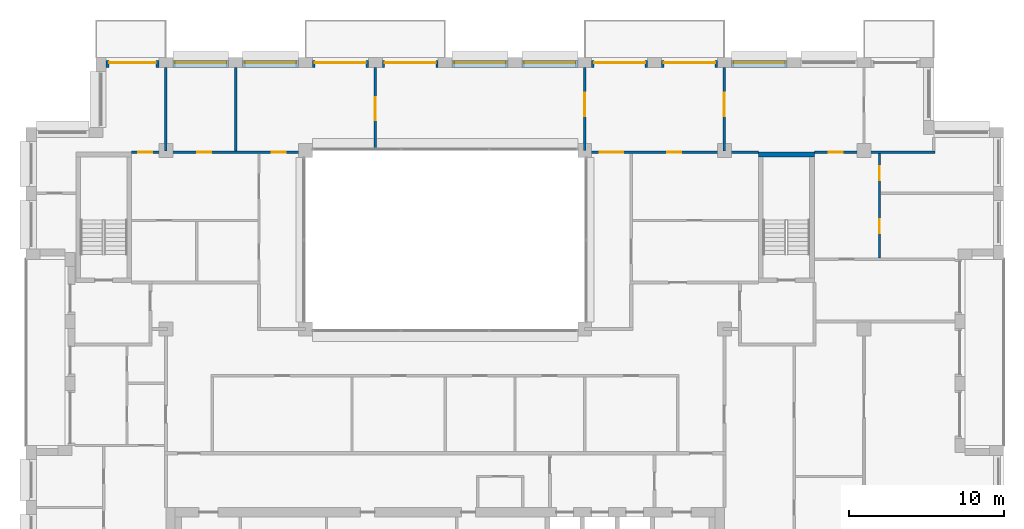
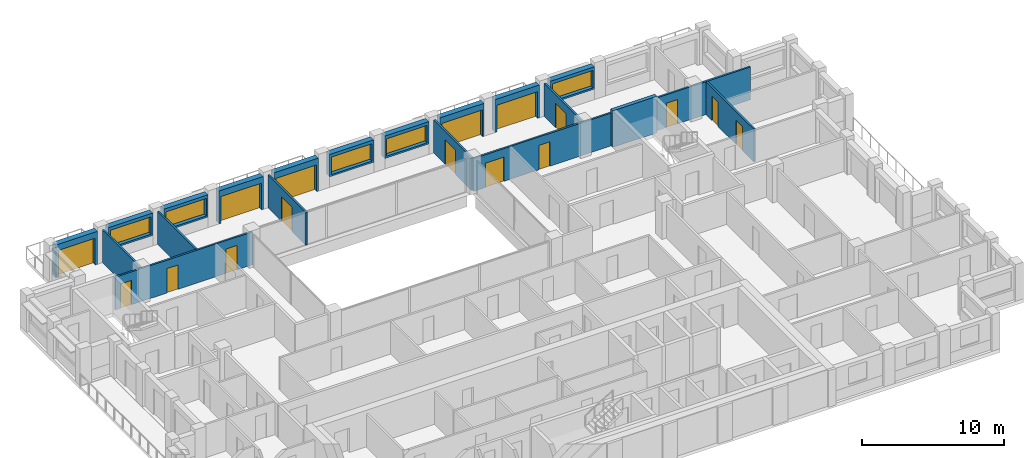
# One storey, part 13 of 15: 20 walls, 16 doors, 5 windows, 21 openings.
"""IFC4 building model written with IfcOpenShell, lengths in metres."""

from ifc_helpers import new_model, si_unit, direction, frame, frame_2d, origin, place, context, subcontext, project, spatial, rectangle, extrude, material, layer, layer_set, type_object, element, fill, save


model = new_model("IFC4")

# Units and contexts
model_context = context("Model", 3, precision=1e-05, world=origin(), true_north=direction((0.0, 1.0)))
body_context = subcontext(model_context, "Body", "Model", "MODEL_VIEW")
ifc_project = project(units=[si_unit("LENGTHUNIT", "METRE"), si_unit("AREAUNIT", "SQUARE_METRE"), si_unit("VOLUMEUNIT", "CUBIC_METRE"), si_unit("PLANEANGLEUNIT", "RADIAN"), si_unit("MASSUNIT", "GRAM", prefix="KILO")], contexts=[model_context])

# Site, building, storey
site_placement = place(None, origin())
site = spatial("IfcSite", under=ifc_project, at=site_placement, CompositionType="ELEMENT")
building_placement = place(site_placement, origin())
building = spatial("IfcBuilding", under=site, at=building_placement, Name="Brigalow Station Residences", CompositionType="ELEMENT")
storey_placement = place(building_placement, frame((0.0, 0.0, 223.199951171875)))
storey = spatial("IfcBuildingStorey", under=building, at=storey_placement, Name="L64", CompositionType="ELEMENT", Elevation=223.199951171875)

# Wall, opening, window
ifc_material_1 = material(Name="Clay brick masonry", Category="masonry")
ifc_layer_1 = layer(ifc_material_1, 0.449951171875)
ifc_layer_set_1 = layer_set([ifc_layer_1], Name="BRICK INFILL WALL 450")
wall_type_1 = type_object("IfcWallType", Name="BRICK INFILL WALL 450", PredefinedType="SOLIDWALL", material=ifc_layer_set_1)
wall_1_placement = place(storey_placement, frame((58.050048828125, 41.074951171875, 0.900146484375), z_axis=(0.0, 0.0, 1.0), x_axis=(-1.0, 0.0, 0.0)))
wall_1 = element("IfcWall", 1, at=wall_1_placement, inside=storey, type_object=wall_type_1, Name="L64/ewall/W-L64-22", PredefinedType="SOLIDWALL", context=body_context, shape_type="SweptSolid", body=[
    extrude(rectangle(XDim=3.60009765625, YDim=0.449951171875, at=frame_2d((1.800048828125, 0.0))), origin(), (0.0, 0.0, 1.0), 1.929931640625),
])
opening_1_placement = place(wall_1_placement, frame((0.14990234375, 0.0, 0.14990234375)))
opening_1 = element("IfcOpeningElement", 2, at=opening_1_placement, cuts=wall_1, Name="Opening WT-10", PredefinedType="OPENING", context=body_context, shape_type="SweptSolid", body=[
    extrude(rectangle(XDim=3.300048828125, YDim=1.5, at=frame_2d((1.64990234375, 0.75))), frame((0.0, 0.23486328125, 0.0), z_axis=(0.0, -1.0, 0.0), x_axis=(1.0, 0.0, 0.0)), (0.0, 0.0, 1.0), 0.469970703125),
])
ifc_material_2 = material(Name="Anodised aluminium frame with double glazing", Category="aluminium")
window_type = type_object("IfcWindowType", Name="WINDOW 3300x1500", PartitioningType="SINGLE_PANEL", PredefinedType="WINDOW", material=ifc_material_2)
window_1_placement = place(opening_1_placement, origin())
window_1 = element("IfcWindow", 3, at=window_1_placement, inside=storey, type_object=window_type, Name="L64/window/W-L64-22", OverallHeight=1.5, OverallWidth=3.300048828125, PartitioningType="SINGLE_PANEL", PredefinedType="WINDOW", context=body_context, shape_type="SweptSolid", body=[
    extrude(rectangle(XDim=3.300048828125, YDim=1.5, at=frame_2d((1.64990234375, 0.75))), frame((0.0, -0.06494140625, 0.0), z_axis=(0.0, -1.0, 0.0), x_axis=(1.0, 0.0, 0.0)), (0.0, 0.0, 1.0), 0.06005859375),
])
fill(opening_1, window_1)

# Wall, opening, door
wall_2_placement = place(storey_placement, frame((53.550048828125, 41.074951171875, 0.0), z_axis=(0.0, 0.0, 1.0), x_axis=(-1.0, 0.0, 0.0)))
wall_2 = element("IfcWall", 4, at=wall_2_placement, inside=storey, type_object=wall_type_1, Name="L64/ewall/W-L64-23", PredefinedType="SOLIDWALL", context=body_context, shape_type="SweptSolid", body=[
    extrude(rectangle(XDim=3.60009765625, YDim=0.449951171875, at=frame_2d((1.800048828125, 0.0))), origin(), (0.0, 0.0, 1.0), 2.830078125),
])
opening_2_placement = place(wall_2_placement, frame((0.14990234375, 0.0, 0.0)))
opening_2 = element("IfcOpeningElement", 5, at=opening_2_placement, cuts=wall_2, Name="Opening D-B3300", PredefinedType="OPENING", context=body_context, shape_type="SweptSolid", body=[
    extrude(rectangle(XDim=3.300048828125, YDim=2.300048828125, at=frame_2d((1.64990234375, 1.14990234375))), frame((0.0, 0.23486328125, 0.0), z_axis=(0.0, -1.0, 0.0), x_axis=(1.0, 0.0, 0.0)), (0.0, 0.0, 1.0), 0.469970703125),
])
ifc_material_3 = material(Name="Anodised aluminium frame with double glazing", Category="aluminium")
door_type_1 = type_object("IfcDoorType", Name="BALCONY SLIDING DOOR 3300x2300", OperationType="SLIDING_TO_LEFT", PredefinedType="DOOR", material=ifc_material_3)
door_1_placement = place(opening_2_placement, origin())
door_1 = element("IfcDoor", 6, at=door_1_placement, inside=storey, type_object=door_type_1, Name="L64/balcony-door/W-L64-23", OperationType="SLIDING_TO_LEFT", OverallHeight=2.300048828125, OverallWidth=3.300048828125, PredefinedType="DOOR", context=body_context, shape_type="SweptSolid", body=[
    extrude(rectangle(XDim=3.300048828125, YDim=2.300048828125, at=frame_2d((1.64990234375, 1.14990234375))), frame((0.0, -0.06982421875, 0.0), z_axis=(0.0, -1.0, 0.0), x_axis=(1.0, 0.0, 0.0)), (0.0, 0.0, 1.0), 0.050048828125),
])
fill(opening_2, door_1)

wall_3_placement = place(storey_placement, frame((49.050048828125, 41.074951171875, 0.0), z_axis=(0.0, 0.0, 1.0), x_axis=(-1.0, 0.0, 0.0)))
wall_3 = element("IfcWall", 7, at=wall_3_placement, inside=storey, type_object=wall_type_1, Name="L64/ewall/W-L64-24", PredefinedType="SOLIDWALL", context=body_context, shape_type="SweptSolid", body=[
    extrude(rectangle(XDim=3.60009765625, YDim=0.449951171875, at=frame_2d((1.800048828125, 0.0))), origin(), (0.0, 0.0, 1.0), 2.830078125),
])
opening_3_placement = place(wall_3_placement, frame((0.14990234375, 0.0, 0.0)))
opening_3 = element("IfcOpeningElement", 8, at=opening_3_placement, cuts=wall_3, Name="Opening D-B3300", PredefinedType="OPENING", context=body_context, shape_type="SweptSolid", body=[
    extrude(rectangle(XDim=3.300048828125, YDim=2.300048828125, at=frame_2d((1.64990234375, 1.14990234375))), frame((0.0, 0.23486328125, 0.0), z_axis=(0.0, -1.0, 0.0), x_axis=(1.0, 0.0, 0.0)), (0.0, 0.0, 1.0), 0.469970703125),
])
door_2_placement = place(opening_3_placement, origin())
door_2 = element("IfcDoor", 9, at=door_2_placement, inside=storey, type_object=door_type_1, Name="L64/balcony-door/W-L64-24", OperationType="SLIDING_TO_LEFT", OverallHeight=2.300048828125, OverallWidth=3.300048828125, PredefinedType="DOOR", context=body_context, shape_type="SweptSolid", body=[
    extrude(rectangle(XDim=3.300048828125, YDim=2.300048828125, at=frame_2d((1.64990234375, 1.14990234375))), frame((0.0, -0.06982421875, 0.0), z_axis=(0.0, -1.0, 0.0), x_axis=(1.0, 0.0, 0.0)), (0.0, 0.0, 1.0), 0.050048828125),
])
fill(opening_3, door_2)

# Wall, opening, window
wall_4_placement = place(storey_placement, frame((44.550048828125, 41.074951171875, 0.900146484375), z_axis=(0.0, 0.0, 1.0), x_axis=(-1.0, 0.0, 0.0)))
wall_4 = element("IfcWall", 10, at=wall_4_placement, inside=storey, type_object=wall_type_1, Name="L64/ewall/W-L64-25", PredefinedType="SOLIDWALL", context=body_context, shape_type="SweptSolid", body=[
    extrude(rectangle(XDim=3.60009765625, YDim=0.449951171875, at=frame_2d((1.800048828125, 0.0))), origin(), (0.0, 0.0, 1.0), 1.929931640625),
])
opening_4_placement = place(wall_4_placement, frame((0.14990234375, 0.0, 0.14990234375)))
opening_4 = element("IfcOpeningElement", 11, at=opening_4_placement, cuts=wall_4, Name="Opening WT-10", PredefinedType="OPENING", context=body_context, shape_type="SweptSolid", body=[
    extrude(rectangle(XDim=3.300048828125, YDim=1.5, at=frame_2d((1.64990234375, 0.75))), frame((0.0, 0.23486328125, 0.0), z_axis=(0.0, -1.0, 0.0), x_axis=(1.0, 0.0, 0.0)), (0.0, 0.0, 1.0), 0.469970703125),
])
window_2_placement = place(opening_4_placement, origin())
window_2 = element("IfcWindow", 12, at=window_2_placement, inside=storey, type_object=window_type, Name="L64/window/W-L64-25", OverallHeight=1.5, OverallWidth=3.300048828125, PartitioningType="SINGLE_PANEL", PredefinedType="WINDOW", context=body_context, shape_type="SweptSolid", body=[
    extrude(rectangle(XDim=3.300048828125, YDim=1.5, at=frame_2d((1.64990234375, 0.75))), frame((0.0, -0.06494140625, 0.0), z_axis=(0.0, -1.0, 0.0), x_axis=(1.0, 0.0, 0.0)), (0.0, 0.0, 1.0), 0.06005859375),
])
fill(opening_4, window_2)

wall_5_placement = place(storey_placement, frame((40.050048828125, 41.074951171875, 0.900146484375), z_axis=(0.0, 0.0, 1.0), x_axis=(-1.0, 0.0, 0.0)))
wall_5 = element("IfcWall", 13, at=wall_5_placement, inside=storey, type_object=wall_type_1, Name="L64/ewall/W-L64-26", PredefinedType="SOLIDWALL", context=body_context, shape_type="SweptSolid", body=[
    extrude(rectangle(XDim=3.60009765625, YDim=0.449951171875, at=frame_2d((1.800048828125, 0.0))), origin(), (0.0, 0.0, 1.0), 1.929931640625),
])
opening_5_placement = place(wall_5_placement, frame((0.14990234375, 0.0, 0.14990234375)))
opening_5 = element("IfcOpeningElement", 14, at=opening_5_placement, cuts=wall_5, Name="Opening WT-10", PredefinedType="OPENING", context=body_context, shape_type="SweptSolid", body=[
    extrude(rectangle(XDim=3.300048828125, YDim=1.5, at=frame_2d((1.64990234375, 0.75))), frame((0.0, 0.23486328125, 0.0), z_axis=(0.0, -1.0, 0.0), x_axis=(1.0, 0.0, 0.0)), (0.0, 0.0, 1.0), 0.469970703125),
])
window_3_placement = place(opening_5_placement, origin())
window_3 = element("IfcWindow", 15, at=window_3_placement, inside=storey, type_object=window_type, Name="L64/window/W-L64-26", OverallHeight=1.5, OverallWidth=3.300048828125, PartitioningType="SINGLE_PANEL", PredefinedType="WINDOW", context=body_context, shape_type="SweptSolid", body=[
    extrude(rectangle(XDim=3.300048828125, YDim=1.5, at=frame_2d((1.64990234375, 0.75))), frame((0.0, -0.06494140625, 0.0), z_axis=(0.0, -1.0, 0.0), x_axis=(1.0, 0.0, 0.0)), (0.0, 0.0, 1.0), 0.06005859375),
])
fill(opening_5, window_3)

# Wall, opening, door
wall_6_placement = place(storey_placement, frame((35.550048828125, 41.074951171875, 0.0), z_axis=(0.0, 0.0, 1.0), x_axis=(-1.0, 0.0, 0.0)))
wall_6 = element("IfcWall", 16, at=wall_6_placement, inside=storey, type_object=wall_type_1, Name="L64/ewall/W-L64-27", PredefinedType="SOLIDWALL", context=body_context, shape_type="SweptSolid", body=[
    extrude(rectangle(XDim=3.60009765625, YDim=0.449951171875, at=frame_2d((1.800048828125, 0.0))), origin(), (0.0, 0.0, 1.0), 2.830078125),
])
opening_6_placement = place(wall_6_placement, frame((0.14990234375, 0.0, 0.0)))
opening_6 = element("IfcOpeningElement", 17, at=opening_6_placement, cuts=wall_6, Name="Opening D-B3300", PredefinedType="OPENING", context=body_context, shape_type="SweptSolid", body=[
    extrude(rectangle(XDim=3.300048828125, YDim=2.300048828125, at=frame_2d((1.64990234375, 1.14990234375))), frame((0.0, 0.23486328125, 0.0), z_axis=(0.0, -1.0, 0.0), x_axis=(1.0, 0.0, 0.0)), (0.0, 0.0, 1.0), 0.469970703125),
])
door_3_placement = place(opening_6_placement, origin())
door_3 = element("IfcDoor", 18, at=door_3_placement, inside=storey, type_object=door_type_1, Name="L64/balcony-door/W-L64-27", OperationType="SLIDING_TO_LEFT", OverallHeight=2.300048828125, OverallWidth=3.300048828125, PredefinedType="DOOR", context=body_context, shape_type="SweptSolid", body=[
    extrude(rectangle(XDim=3.300048828125, YDim=2.300048828125, at=frame_2d((1.64990234375, 1.14990234375))), frame((0.0, -0.06982421875, 0.0), z_axis=(0.0, -1.0, 0.0), x_axis=(1.0, 0.0, 0.0)), (0.0, 0.0, 1.0), 0.050048828125),
])
fill(opening_6, door_3)

wall_7_placement = place(storey_placement, frame((31.050048828125, 41.074951171875, 0.0), z_axis=(0.0, 0.0, 1.0), x_axis=(-1.0, 0.0, 0.0)))
wall_7 = element("IfcWall", 19, at=wall_7_placement, inside=storey, type_object=wall_type_1, Name="L64/ewall/W-L64-28", PredefinedType="SOLIDWALL", context=body_context, shape_type="SweptSolid", body=[
    extrude(rectangle(XDim=3.60009765625, YDim=0.449951171875, at=frame_2d((1.800048828125, 0.0))), origin(), (0.0, 0.0, 1.0), 2.830078125),
])
opening_7_placement = place(wall_7_placement, frame((0.14990234375, 0.0, 0.0)))
opening_7 = element("IfcOpeningElement", 20, at=opening_7_placement, cuts=wall_7, Name="Opening D-B3300", PredefinedType="OPENING", context=body_context, shape_type="SweptSolid", body=[
    extrude(rectangle(XDim=3.300048828125, YDim=2.300048828125, at=frame_2d((1.64990234375, 1.14990234375))), frame((0.0, 0.23486328125, 0.0), z_axis=(0.0, -1.0, 0.0), x_axis=(1.0, 0.0, 0.0)), (0.0, 0.0, 1.0), 0.469970703125),
])
door_4_placement = place(opening_7_placement, origin())
door_4 = element("IfcDoor", 21, at=door_4_placement, inside=storey, type_object=door_type_1, Name="L64/balcony-door/W-L64-28", OperationType="SLIDING_TO_LEFT", OverallHeight=2.300048828125, OverallWidth=3.300048828125, PredefinedType="DOOR", context=body_context, shape_type="SweptSolid", body=[
    extrude(rectangle(XDim=3.300048828125, YDim=2.300048828125, at=frame_2d((1.64990234375, 1.14990234375))), frame((0.0, -0.06982421875, 0.0), z_axis=(0.0, -1.0, 0.0), x_axis=(1.0, 0.0, 0.0)), (0.0, 0.0, 1.0), 0.050048828125),
])
fill(opening_7, door_4)

# Wall, opening, window
wall_8_placement = place(storey_placement, frame((26.550048828125, 41.074951171875, 0.900146484375), z_axis=(0.0, 0.0, 1.0), x_axis=(-1.0, 0.0, 0.0)))
wall_8 = element("IfcWall", 22, at=wall_8_placement, inside=storey, type_object=wall_type_1, Name="L64/ewall/W-L64-29", PredefinedType="SOLIDWALL", context=body_context, shape_type="SweptSolid", body=[
    extrude(rectangle(XDim=3.60009765625, YDim=0.449951171875, at=frame_2d((1.800048828125, 0.0))), origin(), (0.0, 0.0, 1.0), 1.929931640625),
])
opening_8_placement = place(wall_8_placement, frame((0.14990234375, 0.0, 0.14990234375)))
opening_8 = element("IfcOpeningElement", 23, at=opening_8_placement, cuts=wall_8, Name="Opening WT-10", PredefinedType="OPENING", context=body_context, shape_type="SweptSolid", body=[
    extrude(rectangle(XDim=3.300048828125, YDim=1.5, at=frame_2d((1.64990234375, 0.75))), frame((0.0, 0.23486328125, 0.0), z_axis=(0.0, -1.0, 0.0), x_axis=(1.0, 0.0, 0.0)), (0.0, 0.0, 1.0), 0.469970703125),
])
window_4_placement = place(opening_8_placement, origin())
window_4 = element("IfcWindow", 24, at=window_4_placement, inside=storey, type_object=window_type, Name="L64/window/W-L64-29", OverallHeight=1.5, OverallWidth=3.300048828125, PartitioningType="SINGLE_PANEL", PredefinedType="WINDOW", context=body_context, shape_type="SweptSolid", body=[
    extrude(rectangle(XDim=3.300048828125, YDim=1.5, at=frame_2d((1.64990234375, 0.75))), frame((0.0, -0.06494140625, 0.0), z_axis=(0.0, -1.0, 0.0), x_axis=(1.0, 0.0, 0.0)), (0.0, 0.0, 1.0), 0.06005859375),
])
fill(opening_8, window_4)

wall_9_placement = place(storey_placement, frame((22.050048828125, 41.074951171875, 0.900146484375), z_axis=(0.0, 0.0, 1.0), x_axis=(-1.0, 0.0, 0.0)))
wall_9 = element("IfcWall", 25, at=wall_9_placement, inside=storey, type_object=wall_type_1, Name="L64/ewall/W-L64-30", PredefinedType="SOLIDWALL", context=body_context, shape_type="SweptSolid", body=[
    extrude(rectangle(XDim=3.60009765625, YDim=0.449951171875, at=frame_2d((1.800048828125, 0.0))), origin(), (0.0, 0.0, 1.0), 1.929931640625),
])
opening_9_placement = place(wall_9_placement, frame((0.14990234375, 0.0, 0.14990234375)))
opening_9 = element("IfcOpeningElement", 26, at=opening_9_placement, cuts=wall_9, Name="Opening WT-10", PredefinedType="OPENING", context=body_context, shape_type="SweptSolid", body=[
    extrude(rectangle(XDim=3.300048828125, YDim=1.5, at=frame_2d((1.64990234375, 0.75))), frame((0.0, 0.23486328125, 0.0), z_axis=(0.0, -1.0, 0.0), x_axis=(1.0, 0.0, 0.0)), (0.0, 0.0, 1.0), 0.469970703125),
])
window_5_placement = place(opening_9_placement, origin())
window_5 = element("IfcWindow", 27, at=window_5_placement, inside=storey, type_object=window_type, Name="L64/window/W-L64-30", OverallHeight=1.5, OverallWidth=3.300048828125, PartitioningType="SINGLE_PANEL", PredefinedType="WINDOW", context=body_context, shape_type="SweptSolid", body=[
    extrude(rectangle(XDim=3.300048828125, YDim=1.5, at=frame_2d((1.64990234375, 0.75))), frame((0.0, -0.06494140625, 0.0), z_axis=(0.0, -1.0, 0.0), x_axis=(1.0, 0.0, 0.0)), (0.0, 0.0, 1.0), 0.06005859375),
])
fill(opening_9, window_5)

# Wall, opening, door
wall_10_placement = place(storey_placement, frame((17.550048828125, 41.074951171875, 0.0), z_axis=(0.0, 0.0, 1.0), x_axis=(-1.0, 0.0, 0.0)))
wall_10 = element("IfcWall", 28, at=wall_10_placement, inside=storey, type_object=wall_type_1, Name="L64/ewall/W-L64-31", PredefinedType="SOLIDWALL", context=body_context, shape_type="SweptSolid", body=[
    extrude(rectangle(XDim=3.400146484375, YDim=0.449951171875, at=frame_2d((1.7001953125, 0.0))), origin(), (0.0, 0.0, 1.0), 2.830078125),
])
opening_10_placement = place(wall_10_placement, frame((0.199951171875, 0.0, 0.0)))
opening_10 = element("IfcOpeningElement", 29, at=opening_10_placement, cuts=wall_10, Name="Opening D-B3000", PredefinedType="OPENING", context=body_context, shape_type="SweptSolid", body=[
    extrude(rectangle(XDim=3.0, YDim=2.300048828125, at=frame_2d((1.5, 1.14990234375))), frame((0.0, 0.23486328125, 0.0), z_axis=(0.0, -1.0, 0.0), x_axis=(1.0, 0.0, 0.0)), (0.0, 0.0, 1.0), 0.469970703125),
])
ifc_material_4 = material(Name="Anodised aluminium frame with double glazing", Category="aluminium")
door_type_2 = type_object("IfcDoorType", Name="BALCONY SLIDING DOOR 3000x2300", OperationType="SLIDING_TO_LEFT", PredefinedType="DOOR", material=ifc_material_4)
door_5_placement = place(opening_10_placement, origin())
door_5 = element("IfcDoor", 30, at=door_5_placement, inside=storey, type_object=door_type_2, Name="L64/balcony-door/W-L64-31", OperationType="SLIDING_TO_LEFT", OverallHeight=2.300048828125, OverallWidth=3.0, PredefinedType="DOOR", context=body_context, shape_type="SweptSolid", body=[
    extrude(rectangle(XDim=3.0, YDim=2.300048828125, at=frame_2d((1.5, 1.14990234375))), frame((0.0, -0.06982421875, 0.0), z_axis=(0.0, -1.0, 0.0), x_axis=(1.0, 0.0, 0.0)), (0.0, 0.0, 1.0), 0.050048828125),
])
fill(opening_10, door_5)

# Wall
ifc_material_5 = material(Name="Concrete C50", Category="concrete")
ifc_layer_2 = layer(ifc_material_5, 0.300048828125)
ifc_layer_set_2 = layer_set([ifc_layer_2], Name="CORE SHEAR WALL 300 C50")
wall_type_2 = type_object("IfcWallType", Name="CORE SHEAR WALL 300 C50", PredefinedType="SHEAR", material=ifc_layer_set_2)
wall_11_placement = place(storey_placement, frame((56.199951171875, 35.25, 0.0), z_axis=(0.0, 0.0, 1.0), x_axis=(1.0, 0.0, 0.0)))
element("IfcWall", 31, at=wall_11_placement, inside=storey, type_object=wall_type_2, Name="CORE WALL ST-S3-N L64", PredefinedType="SHEAR", context=body_context, shape_type="SweptSolid", body=[
    extrude(rectangle(XDim=3.60009765625, YDim=0.300048828125, at=frame_2d((1.800048828125, 0.0))), origin(), (0.0, 0.0, 1.0), 3.150146484375),
])

# Wall, openings, doors
ifc_material_6 = material(Name="Plasterboard on steel stud partition", Category="steel")
ifc_layer_3 = layer(ifc_material_6, 0.14990234375)
ifc_layer_set_3 = layer_set([ifc_layer_3], Name="FLAT PARTITION 150")
wall_type_3 = type_object("IfcWallType", Name="FLAT PARTITION 150", PredefinedType="PARTITIONING", material=ifc_layer_set_3)
wall_12_placement = place(storey_placement, frame((15.800048828125, 35.39990234375, 0.0), z_axis=(0.0, 0.0, 1.0), x_axis=(1.0, 0.0, 0.0)))
wall_12 = element("IfcWall", 32, at=wall_12_placement, inside=storey, type_object=wall_type_3, Name="PW-4D17", PredefinedType="PARTITIONING", context=body_context, shape_type="SweptSolid", body=[
    extrude(rectangle(XDim=11.199951171875, YDim=0.14990234375, at=frame_2d((5.60009765625, 0.0))), origin(), (0.0, 0.0, 1.0), 2.830078125),
])
opening_11_placement = place(wall_12_placement, frame((9.02490234375, 0.0, 0.0)))
opening_11 = element("IfcOpeningElement", 33, at=opening_11_placement, cuts=wall_12, Name="Opening D-4D18", PredefinedType="OPENING", context=body_context, shape_type="SweptSolid", body=[
    extrude(rectangle(XDim=0.89990234375, YDim=2.10009765625, at=frame_2d((0.449951171875, 1.050048828125))), frame((0.0, 0.0849609375, 0.0), z_axis=(0.0, -1.0, 0.0), x_axis=(1.0, 0.0, 0.0)), (0.0, 0.0, 1.0), 0.169921875),
])
opening_12_placement = place(wall_12_placement, frame((0.425048828125, 0.0, 0.0)))
opening_12 = element("IfcOpeningElement", 34, at=opening_12_placement, cuts=wall_12, Name="Opening D-4D22", PredefinedType="OPENING", context=body_context, shape_type="SweptSolid", body=[
    extrude(rectangle(XDim=0.89990234375, YDim=2.10009765625, at=frame_2d((0.449951171875, 1.050048828125))), frame((0.0, 0.0849609375, 0.0), z_axis=(0.0, -1.0, 0.0), x_axis=(1.0, 0.0, 0.0)), (0.0, 0.0, 1.0), 0.169921875),
])
opening_13_placement = place(wall_12_placement, frame((4.22509765625, 0.0, 0.0)))
opening_13 = element("IfcOpeningElement", 35, at=opening_13_placement, cuts=wall_12, Name="Opening D-4D23", PredefinedType="OPENING", context=body_context, shape_type="SweptSolid", body=[
    extrude(rectangle(XDim=0.89990234375, YDim=2.10009765625, at=frame_2d((0.449951171875, 1.050048828125))), frame((0.0, 0.0849609375, 0.0), z_axis=(0.0, -1.0, 0.0), x_axis=(1.0, 0.0, 0.0)), (0.0, 0.0, 1.0), 0.169921875),
])
ifc_material_7 = material(Name="Solid-core timber door leaf", Category="wood")
door_type_3 = type_object("IfcDoorType", Name="INTERNAL DOOR 900 x 2100", OperationType="SINGLE_SWING_LEFT", PredefinedType="DOOR", material=ifc_material_7)
door_6_placement = place(opening_11_placement, frame((0.89990234375, 0.0, 0.0), z_axis=(0.0, 0.0, 1.0), x_axis=(-1.0, 0.0, 0.0)))
door_6 = element("IfcDoor", 36, at=door_6_placement, inside=storey, type_object=door_type_3, Name="D-4D18", OperationType="SINGLE_SWING_RIGHT", OverallHeight=2.10009765625, OverallWidth=0.89990234375, PredefinedType="DOOR", context=body_context, shape_type="SweptSolid", body=[
    extrude(rectangle(XDim=0.89990234375, YDim=2.10009765625, at=frame_2d((0.449951171875, 1.050048828125))), frame((0.0, 0.02490234375, 0.0), z_axis=(0.0, -1.0, 0.0), x_axis=(1.0, 0.0, 0.0)), (0.0, 0.0, 1.0), 0.050048828125),
])
fill(opening_11, door_6)
door_7_placement = place(opening_12_placement, origin())
door_7 = element("IfcDoor", 37, at=door_7_placement, inside=storey, type_object=door_type_3, Name="D-4D22", OperationType="SINGLE_SWING_RIGHT", OverallHeight=2.10009765625, OverallWidth=0.89990234375, PredefinedType="DOOR", context=body_context, shape_type="SweptSolid", body=[
    extrude(rectangle(XDim=0.89990234375, YDim=2.10009765625, at=frame_2d((0.449951171875, 1.050048828125))), frame((0.0, 0.02490234375, 0.0), z_axis=(0.0, -1.0, 0.0), x_axis=(1.0, 0.0, 0.0)), (0.0, 0.0, 1.0), 0.050048828125),
])
fill(opening_12, door_7)
door_8_placement = place(opening_13_placement, origin())
door_8 = element("IfcDoor", 38, at=door_8_placement, inside=storey, type_object=door_type_3, Name="D-4D23", OperationType="SINGLE_SWING_RIGHT", OverallHeight=2.10009765625, OverallWidth=0.89990234375, PredefinedType="DOOR", context=body_context, shape_type="SweptSolid", body=[
    extrude(rectangle(XDim=0.89990234375, YDim=2.10009765625, at=frame_2d((0.449951171875, 1.050048828125))), frame((0.0, 0.02490234375, 0.0), z_axis=(0.0, -1.0, 0.0), x_axis=(1.0, 0.0, 0.0)), (0.0, 0.0, 1.0), 0.050048828125),
])
fill(opening_13, door_8)

wall_13_placement = place(storey_placement, frame((45.0, 35.39990234375, 0.0), z_axis=(0.0, 0.0, 1.0), x_axis=(1.0, 0.0, 0.0)))
wall_13 = element("IfcWall", 39, at=wall_13_placement, inside=storey, type_object=wall_type_3, Name="PW-4D18", PredefinedType="PARTITIONING", context=body_context, shape_type="SweptSolid", body=[
    extrude(rectangle(XDim=11.199951171875, YDim=0.14990234375, at=frame_2d((5.60009765625, 0.0))), origin(), (0.0, 0.0, 1.0), 2.830078125),
])
opening_14_placement = place(wall_13_placement, frame((5.324951171875, 0.0, 0.0)))
opening_14 = element("IfcOpeningElement", 40, at=opening_14_placement, cuts=wall_13, Name="Opening D-4D14", PredefinedType="OPENING", context=body_context, shape_type="SweptSolid", body=[
    extrude(rectangle(XDim=0.89990234375, YDim=2.10009765625, at=frame_2d((0.449951171875, 1.050048828125))), frame((0.0, 0.0849609375, 0.0), z_axis=(0.0, -1.0, 0.0), x_axis=(1.0, 0.0, 0.0)), (0.0, 0.0, 1.0), 0.169921875),
])
opening_15_placement = place(wall_13_placement, frame((0.97509765625, 0.0, 0.0)))
opening_15 = element("IfcOpeningElement", 41, at=opening_15_placement, cuts=wall_13, Name="Opening D-4D15", PredefinedType="OPENING", context=body_context, shape_type="SweptSolid", body=[
    extrude(rectangle(XDim=1.5, YDim=2.10009765625, at=frame_2d((0.75, 1.050048828125))), frame((0.0, 0.0849609375, 0.0), z_axis=(0.0, -1.0, 0.0), x_axis=(1.0, 0.0, 0.0)), (0.0, 0.0, 1.0), 0.169921875),
])
door_9_placement = place(opening_14_placement, frame((0.89990234375, 0.0, 0.0), z_axis=(0.0, 0.0, 1.0), x_axis=(-1.0, 0.0, 0.0)))
door_9 = element("IfcDoor", 42, at=door_9_placement, inside=storey, type_object=door_type_3, Name="D-4D14", OperationType="SINGLE_SWING_RIGHT", OverallHeight=2.10009765625, OverallWidth=0.89990234375, PredefinedType="DOOR", context=body_context, shape_type="SweptSolid", body=[
    extrude(rectangle(XDim=0.89990234375, YDim=2.10009765625, at=frame_2d((0.449951171875, 1.050048828125))), frame((0.0, 0.02490234375, 0.0), z_axis=(0.0, -1.0, 0.0), x_axis=(1.0, 0.0, 0.0)), (0.0, 0.0, 1.0), 0.050048828125),
])
fill(opening_14, door_9)
ifc_material_8 = material(Name="Solid-core timber door leaf", Category="wood")
door_type_4 = type_object("IfcDoorType", Name="INTERNAL DOUBLE DOOR 1500 x 2100", OperationType="DOUBLE_DOOR_SINGLE_SWING", PredefinedType="DOOR", material=ifc_material_8)
door_10_placement = place(opening_15_placement, frame((1.5, 0.0, 0.0), z_axis=(0.0, 0.0, 1.0), x_axis=(-1.0, 0.0, 0.0)))
door_10 = element("IfcDoor", 43, at=door_10_placement, inside=storey, type_object=door_type_4, Name="D-4D15", OperationType="DOUBLE_DOOR_SINGLE_SWING", OverallHeight=2.10009765625, OverallWidth=1.5, PredefinedType="DOOR", context=body_context, shape_type="SweptSolid", body=[
    extrude(rectangle(XDim=1.5, YDim=2.10009765625, at=frame_2d((0.75, 1.050048828125))), frame((0.0, 0.02490234375, 0.0), z_axis=(0.0, -1.0, 0.0), x_axis=(1.0, 0.0, 0.0)), (0.0, 0.0, 1.0), 0.050048828125),
])
fill(opening_15, door_10)

# Wall, opening, door
wall_14_placement = place(storey_placement, frame((59.800048828125, 35.39990234375, 0.0), z_axis=(0.0, 0.0, 1.0), x_axis=(1.0, 0.0, 0.0)))
wall_14 = element("IfcWall", 44, at=wall_14_placement, inside=storey, type_object=wall_type_3, Name="PW-4D19", PredefinedType="PARTITIONING", context=body_context, shape_type="SweptSolid", body=[
    extrude(rectangle(XDim=7.77490234375, YDim=0.14990234375, at=frame_2d((3.887451171875, 0.0))), origin(), (0.0, 0.0, 1.0), 2.830078125),
])
opening_16_placement = place(wall_14_placement, frame((0.925048828125, 0.0, 0.0)))
opening_16 = element("IfcOpeningElement", 45, at=opening_16_placement, cuts=wall_14, Name="Opening D-4D27", PredefinedType="OPENING", context=body_context, shape_type="SweptSolid", body=[
    extrude(rectangle(XDim=0.89990234375, YDim=2.10009765625, at=frame_2d((0.449951171875, 1.050048828125))), frame((0.0, 0.0849609375, 0.0), z_axis=(0.0, -1.0, 0.0), x_axis=(1.0, 0.0, 0.0)), (0.0, 0.0, 1.0), 0.169921875),
])
door_11_placement = place(opening_16_placement, origin())
door_11 = element("IfcDoor", 46, at=door_11_placement, inside=storey, type_object=door_type_3, Name="D-4D27", OperationType="SINGLE_SWING_RIGHT", OverallHeight=2.10009765625, OverallWidth=0.89990234375, PredefinedType="DOOR", context=body_context, shape_type="SweptSolid", body=[
    extrude(rectangle(XDim=0.89990234375, YDim=2.10009765625, at=frame_2d((0.449951171875, 1.050048828125))), frame((0.0, 0.02490234375, 0.0), z_axis=(0.0, -1.0, 0.0), x_axis=(1.0, 0.0, 0.0)), (0.0, 0.0, 1.0), 0.050048828125),
])
fill(opening_16, door_11)

# Wall
wall_15_placement = place(storey_placement, frame((18.0, 35.47509765625, 0.0), z_axis=(0.0, 0.0, 1.0), x_axis=(0.0, 1.0, 0.0)))
element("IfcWall", 47, at=wall_15_placement, inside=storey, type_object=wall_type_3, Name="PW-4D28", PredefinedType="PARTITIONING", context=body_context, shape_type="SweptSolid", body=[
    extrude(rectangle(XDim=5.375, YDim=0.14990234375, at=frame_2d((2.6875, 0.0))), origin(), (0.0, 0.0, 1.0), 2.830078125),
])

# Wall, opening, door
wall_16_placement = place(storey_placement, frame((54.0, 35.47509765625, 0.0), z_axis=(0.0, 0.0, 1.0), x_axis=(0.0, 1.0, 0.0)))
wall_16 = element("IfcWall", 48, at=wall_16_placement, inside=storey, type_object=wall_type_3, Name="PW-4D30", PredefinedType="PARTITIONING", context=body_context, shape_type="SweptSolid", body=[
    extrude(rectangle(XDim=5.375, YDim=0.14990234375, at=frame_2d((2.6875, 0.0))), origin(), (0.0, 0.0, 1.0), 2.830078125),
])
opening_17_placement = place(wall_16_placement, frame((2.25, 0.0, 0.0)))
opening_17 = element("IfcOpeningElement", 49, at=opening_17_placement, cuts=wall_16, Name="Opening D-4D25", PredefinedType="OPENING", context=body_context, shape_type="SweptSolid", body=[
    extrude(rectangle(XDim=1.5, YDim=2.10009765625, at=frame_2d((0.75, 1.050048828125))), frame((0.0, 0.0849609375, 0.0), z_axis=(0.0, -1.0, 0.0), x_axis=(1.0, 0.0, 0.0)), (0.0, 0.0, 1.0), 0.169921875),
])
door_12_placement = place(opening_17_placement, frame((1.5, 0.0, 0.0), z_axis=(0.0, 0.0, 1.0), x_axis=(-1.0, 0.0, 0.0)))
door_12 = element("IfcDoor", 50, at=door_12_placement, inside=storey, type_object=door_type_4, Name="D-4D25", OperationType="DOUBLE_DOOR_SINGLE_SWING", OverallHeight=2.10009765625, OverallWidth=1.5, PredefinedType="DOOR", context=body_context, shape_type="SweptSolid", body=[
    extrude(rectangle(XDim=1.5, YDim=2.10009765625, at=frame_2d((0.75, 1.050048828125))), frame((0.0, 0.02490234375, 0.0), z_axis=(0.0, -1.0, 0.0), x_axis=(1.0, 0.0, 0.0)), (0.0, 0.0, 1.0), 0.050048828125),
])
fill(opening_17, door_12)

wall_17_placement = place(storey_placement, frame((45.0, 35.5, 0.0), z_axis=(0.0, 0.0, 1.0), x_axis=(0.0, 1.0, 0.0)))
wall_17 = element("IfcWall", 51, at=wall_17_placement, inside=storey, type_object=wall_type_3, Name="PW-4D41", PredefinedType="PARTITIONING", context=body_context, shape_type="SweptSolid", body=[
    extrude(rectangle(XDim=5.35009765625, YDim=0.14990234375, at=frame_2d((2.675048828125, 0.0))), origin(), (0.0, 0.0, 1.0), 2.830078125),
])
opening_18_placement = place(wall_17_placement, frame((2.22509765625, 0.0, 0.0)))
opening_18 = element("IfcOpeningElement", 52, at=opening_18_placement, cuts=wall_17, Name="Opening D-4D16", PredefinedType="OPENING", context=body_context, shape_type="SweptSolid", body=[
    extrude(rectangle(XDim=1.5, YDim=2.10009765625, at=frame_2d((0.75, 1.050048828125))), frame((0.0, 0.0849609375, 0.0), z_axis=(0.0, -1.0, 0.0), x_axis=(1.0, 0.0, 0.0)), (0.0, 0.0, 1.0), 0.169921875),
])
door_13_placement = place(opening_18_placement, frame((1.5, 0.0, 0.0), z_axis=(0.0, 0.0, 1.0), x_axis=(-1.0, 0.0, 0.0)))
door_13 = element("IfcDoor", 53, at=door_13_placement, inside=storey, type_object=door_type_4, Name="D-4D16", OperationType="DOUBLE_DOOR_SINGLE_SWING", OverallHeight=2.10009765625, OverallWidth=1.5, PredefinedType="DOOR", context=body_context, shape_type="SweptSolid", body=[
    extrude(rectangle(XDim=1.5, YDim=2.10009765625, at=frame_2d((0.75, 1.050048828125))), frame((0.0, 0.02490234375, 0.0), z_axis=(0.0, -1.0, 0.0), x_axis=(1.0, 0.0, 0.0)), (0.0, 0.0, 1.0), 0.050048828125),
])
fill(opening_18, door_13)

wall_18_placement = place(storey_placement, frame((31.5, 35.5, 0.0), z_axis=(0.0, 0.0, 1.0), x_axis=(0.0, 1.0, 0.0)))
wall_18 = element("IfcWall", 54, at=wall_18_placement, inside=storey, type_object=wall_type_3, Name="PW-4D42", PredefinedType="PARTITIONING", context=body_context, shape_type="SweptSolid", body=[
    extrude(rectangle(XDim=5.35009765625, YDim=0.14990234375, at=frame_2d((2.675048828125, 0.0))), origin(), (0.0, 0.0, 1.0), 2.830078125),
])
opening_19_placement = place(wall_18_placement, frame((1.949951171875, 0.0, 0.0)))
opening_19 = element("IfcOpeningElement", 55, at=opening_19_placement, cuts=wall_18, Name="Opening D-4D17", PredefinedType="OPENING", context=body_context, shape_type="SweptSolid", body=[
    extrude(rectangle(XDim=1.5, YDim=2.10009765625, at=frame_2d((0.75, 1.050048828125))), frame((0.0, 0.0849609375, 0.0), z_axis=(0.0, -1.0, 0.0), x_axis=(1.0, 0.0, 0.0)), (0.0, 0.0, 1.0), 0.169921875),
])
door_14_placement = place(opening_19_placement, origin())
door_14 = element("IfcDoor", 56, at=door_14_placement, inside=storey, type_object=door_type_4, Name="D-4D17", OperationType="DOUBLE_DOOR_SINGLE_SWING", OverallHeight=2.10009765625, OverallWidth=1.5, PredefinedType="DOOR", context=body_context, shape_type="SweptSolid", body=[
    extrude(rectangle(XDim=1.5, YDim=2.10009765625, at=frame_2d((0.75, 1.050048828125))), frame((0.0, 0.02490234375, 0.0), z_axis=(0.0, -1.0, 0.0), x_axis=(1.0, 0.0, 0.0)), (0.0, 0.0, 1.0), 0.050048828125),
])
fill(opening_19, door_14)

# Wall
wall_19_placement = place(storey_placement, frame((22.5, 35.47509765625, 0.0), z_axis=(0.0, 0.0, 1.0), x_axis=(0.0, 1.0, 0.0)))
element("IfcWall", 57, at=wall_19_placement, inside=storey, type_object=wall_type_3, Name="PW-4D43", PredefinedType="PARTITIONING", context=body_context, shape_type="SweptSolid", body=[
    extrude(rectangle(XDim=5.375, YDim=0.14990234375, at=frame_2d((2.6875, 0.0))), origin(), (0.0, 0.0, 1.0), 2.830078125),
])

# Wall, openings, doors
wall_20_placement = place(storey_placement, frame((64.0, 28.574951171875, 0.0), z_axis=(0.0, 0.0, 1.0), x_axis=(0.0, 1.0, 0.0)))
wall_20 = element("IfcWall", 58, at=wall_20_placement, inside=storey, type_object=wall_type_3, Name="PW-4D49", PredefinedType="PARTITIONING", context=body_context, shape_type="SweptSolid", body=[
    extrude(rectangle(XDim=6.75, YDim=0.14990234375, at=frame_2d((3.375, 0.0))), origin(), (0.0, 0.0, 1.0), 2.830078125),
])
opening_20_placement = place(wall_20_placement, frame((1.60009765625, 0.0, 0.0)))
opening_20 = element("IfcOpeningElement", 59, at=opening_20_placement, cuts=wall_20, Name="Opening D-4D28", PredefinedType="OPENING", context=body_context, shape_type="SweptSolid", body=[
    extrude(rectangle(XDim=0.89990234375, YDim=2.10009765625, at=frame_2d((0.449951171875, 1.050048828125))), frame((0.0, 0.0849609375, 0.0), z_axis=(0.0, -1.0, 0.0), x_axis=(1.0, 0.0, 0.0)), (0.0, 0.0, 1.0), 0.169921875),
])
opening_21_placement = place(wall_20_placement, frame((5.02490234375, 0.0, 0.0)))
opening_21 = element("IfcOpeningElement", 60, at=opening_21_placement, cuts=wall_20, Name="Opening D-4D29", PredefinedType="OPENING", context=body_context, shape_type="SweptSolid", body=[
    extrude(rectangle(XDim=0.89990234375, YDim=2.10009765625, at=frame_2d((0.449951171875, 1.050048828125))), frame((0.0, 0.0849609375, 0.0), z_axis=(0.0, -1.0, 0.0), x_axis=(1.0, 0.0, 0.0)), (0.0, 0.0, 1.0), 0.169921875),
])
door_15_placement = place(opening_20_placement, frame((0.89990234375, 0.0, 0.0), z_axis=(0.0, 0.0, 1.0), x_axis=(-1.0, 0.0, 0.0)))
door_15 = element("IfcDoor", 61, at=door_15_placement, inside=storey, type_object=door_type_3, Name="D-4D28", OperationType="SINGLE_SWING_LEFT", OverallHeight=2.10009765625, OverallWidth=0.89990234375, PredefinedType="DOOR", context=body_context, shape_type="SweptSolid", body=[
    extrude(rectangle(XDim=0.89990234375, YDim=2.10009765625, at=frame_2d((0.449951171875, 1.050048828125))), frame((0.0, 0.02490234375, 0.0), z_axis=(0.0, -1.0, 0.0), x_axis=(1.0, 0.0, 0.0)), (0.0, 0.0, 1.0), 0.050048828125),
])
fill(opening_20, door_15)
door_16_placement = place(opening_21_placement, frame((0.89990234375, 0.0, 0.0), z_axis=(0.0, 0.0, 1.0), x_axis=(-1.0, 0.0, 0.0)))
door_16 = element("IfcDoor", 62, at=door_16_placement, inside=storey, type_object=door_type_3, Name="D-4D29", OperationType="SINGLE_SWING_RIGHT", OverallHeight=2.10009765625, OverallWidth=0.89990234375, PredefinedType="DOOR", context=body_context, shape_type="SweptSolid", body=[
    extrude(rectangle(XDim=0.89990234375, YDim=2.10009765625, at=frame_2d((0.449951171875, 1.050048828125))), frame((0.0, 0.02490234375, 0.0), z_axis=(0.0, -1.0, 0.0), x_axis=(1.0, 0.0, 0.0)), (0.0, 0.0, 1.0), 0.050048828125),
])
fill(opening_21, door_16)

save(model, "model.ifc")
